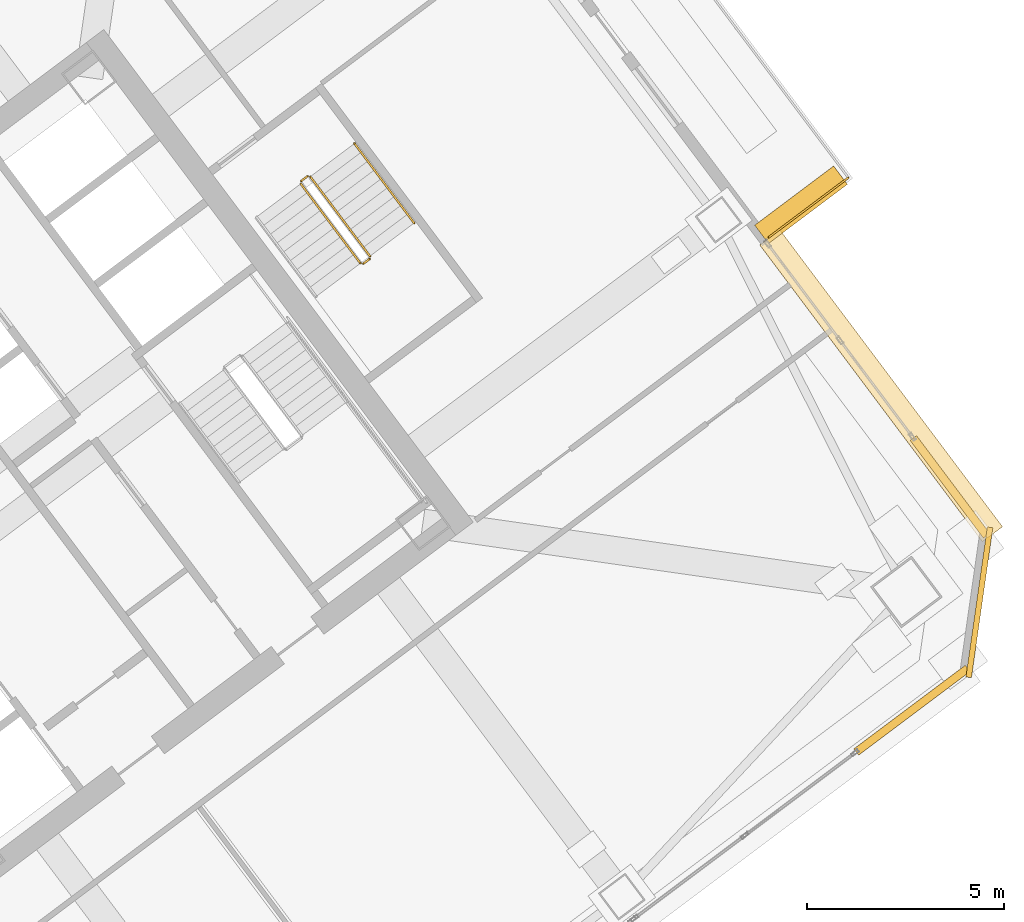
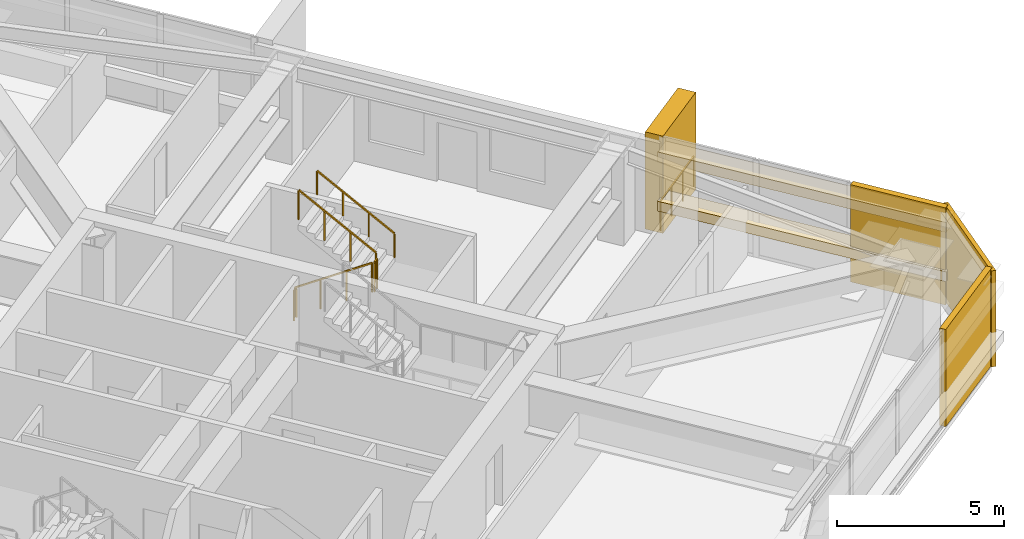
# One storey, part 41 of 42: 6 coverings, 6 railings.
"""IFC4 building model written with IfcOpenShell, lengths in metres."""

from ifc_helpers import new_model, si_unit, direction, frame, origin, origin_2d, place, context, subcontext, project, spatial, rectangle, extrude, material, layer, layer_set, type_object, element, save


model = new_model("IFC4")

# Units and contexts
model_context = context("Model", 3, precision=1e-05, world=origin(), true_north=direction((0.0, 1.0)))
body_context = subcontext(model_context, "Body", "Model", "MODEL_VIEW")
ifc_project = project(units=[si_unit("LENGTHUNIT", "METRE"), si_unit("AREAUNIT", "SQUARE_METRE"), si_unit("VOLUMEUNIT", "CUBIC_METRE"), si_unit("PLANEANGLEUNIT", "RADIAN"), si_unit("MASSUNIT", "GRAM", prefix="KILO")], contexts=[model_context])

# Site, building, storey
site_placement = place(None, origin())
site = spatial("IfcSite", under=ifc_project, at=site_placement, CompositionType="ELEMENT")
building_placement = place(site_placement, origin())
building = spatial("IfcBuilding", under=site, at=building_placement, Name="Tashvorn Skyway Center", CompositionType="ELEMENT")
storey_placement = place(building_placement, frame((0.0, 0.0, 153.449951171875)))
storey = spatial("IfcBuildingStorey", under=building, at=storey_placement, Name="L41", CompositionType="ELEMENT", Elevation=153.449951171875)

# Coverings
ifc_material_1 = material(Name="Precast concrete C40/50", Category="concrete")
ifc_layer_1 = layer(ifc_material_1, 0.199951171875)
ifc_layer_set_1 = layer_set([ifc_layer_1], Name="Precast concrete C40/50")
covering_type_1 = type_object("IfcCoveringType", Name="COV-BRACE-CLAD", PredefinedType="CLADDING", material=ifc_layer_set_1)
covering_1_placement = place(storey_placement, frame((136.260498046875, 25.845458984375, 0.0), z_axis=(0.0, 0.0, 1.0), x_axis=(-0.799999996291, -0.600000004945, 0.0)))
element("IfcCovering", 1, at=covering_1_placement, inside=storey, type_object=covering_type_1, Name="Tower 2 L41 South Unitised Curtain Wall Mega-Brace Cladding Band 1", PredefinedType="CLADDING", context=body_context, shape_type="SweptSolid", body=[
    extrude(rectangle(XDim=3.52880859375, YDim=0.199951171875, at=origin_2d()), origin(), (0.0, 0.0, 1.0), 3.550048828125),
])
covering_2_placement = place(storey_placement, frame((137.22412109375, 31.50146484375, 0.0), z_axis=(0.0, 0.0, 1.0), x_axis=(0.600000004945, -0.799999996291, 0.0)))
element("IfcCovering", 2, at=covering_2_placement, inside=storey, type_object=covering_type_1, Name="Tower 2 L41 East Curtain Wall R Mega-Brace Cladding Band 1", PredefinedType="CLADDING", context=body_context, shape_type="SweptSolid", body=[
    extrude(rectangle(XDim=3.09326171875, YDim=0.199951171875, at=origin_2d()), origin(), (0.0, 0.0, 1.0), 3.550048828125),
])
ifc_material_2 = material(Name="Perforated ceramic-coated bronze aluminium solar screen", Category="aluminium")
ifc_layer_2 = layer(ifc_material_2, 0.85009765625)
ifc_layer_set_2 = layer_set([ifc_layer_2], Name="Perforated ceramic-coated bronze aluminium solar screen")
covering_type_2 = type_object("IfcCoveringType", Name="COV-SOLAR-BAND", PredefinedType="CLADDING", material=ifc_layer_set_2)
for number, where, z_axis, x_axis, name in (
    (3, (135.47998046875, 34.06005859375, 0.919921875), (0.0, 0.0, 1.0), (0.600000004945, -0.799999996291, 0.0), "L41 Perforated Ceramic-Metal Solar Screen Louvre Band East 1"),
    (4, (135.47998046875, 34.06005859375, 2.72021484375), (0.0, 0.0, 1.0), (0.600000004945, -0.799999996291, 0.0), "L41 Perforated Ceramic-Metal Solar Screen Louvre Band East 2"),
):
    element("IfcCovering", number, at=place(storey_placement, frame(where, z_axis=z_axis, x_axis=x_axis)), inside=storey, type_object=covering_type_2, Name=name, PredefinedType="CLADDING", context=body_context, shape_type="SweptSolid", body=[
        extrude(rectangle(XDim=9.39990234375, YDim=0.639892578125, at=origin_2d()), origin(), (0.0, 0.0, 1.0), 0.360107421875),
    ])
ifc_layer_3 = layer(ifc_material_1, 0.35009765625)
ifc_layer_set_3 = layer_set([ifc_layer_3], Name="Precast concrete C40/50")
covering_type_3 = type_object("IfcCoveringType", Name="COV-STONE-TRIM", PredefinedType="CLADDING", material=ifc_layer_set_3)
covering_3_placement = place(storey_placement, frame((133.449951171875, 38.64990234375, 0.0), z_axis=(0.0, 0.0, 1.0), x_axis=(0.600000004945, -0.799999996291, 0.0)))
element("IfcCovering", 5, at=covering_3_placement, inside=storey, type_object=covering_type_3, Name="Tower 2 L41 Sky Garden Loggia Pier R", PredefinedType="CLADDING", context=body_context, shape_type="SweptSolid", body=[
    extrude(rectangle(XDim=0.580078125, YDim=2.5, at=origin_2d()), origin(), (0.0, 0.0, 1.0), 3.550048828125),
])
covering_4_placement = place(storey_placement, frame((137.968017578125, 28.575927734375, 0.02001953125), z_axis=(0.0, 0.0, 1.0), x_axis=(0.141421350118, 0.989949494535, 0.0)))
element("IfcCovering", 6, at=covering_4_placement, inside=storey, type_object=covering_type_3, Name="Tower 2 L41 SE Mojave Limestone Corner Quoin", PredefinedType="CLADDING", context=body_context, shape_type="SweptSolid", body=[
    extrude(rectangle(XDim=3.8369140625, YDim=0.139892578125, at=origin_2d()), origin(), (0.0, 0.0, 1.0), 3.510009765625),
])

# Railings
ifc_material_3 = material(Name="Galvanized steel S355", Category="steel")
railing_type_1 = type_object("IfcRailingType", Name="RAIL-GUARD-1120", PredefinedType="GUARDRAIL", material=ifc_material_3)
railing_1_placement = place(storey_placement, frame((132.632080078125, 37.823974609375, 0.0)))
element("IfcRailing", 7, at=railing_1_placement, inside=storey, type_object=railing_type_1, Name="L41 Tower 2 Terrace Guardrail 01", PredefinedType="GUARDRAIL", context=body_context, shape_type="SweptSolid", body=[
    extrude(rectangle(XDim=0.048095703125, YDim=0.048095703125, at=origin_2d()), frame((0.0, 0.0, 1.09619140625), z_axis=(0.79998837352, 0.60001550166, 0.0), x_axis=(-0.60001550166, 0.79998837352, 0.0)), (0.0, 0.0, 1.0), 2.519775390625),
    extrude(rectangle(XDim=0.0419921875, YDim=0.0419921875, at=origin_2d()), origin(), (0.0, 0.0, 1.0), 1.072021484375),
    extrude(rectangle(XDim=0.0419921875, YDim=0.0419921875, at=origin_2d()), frame((0.671875, 0.50390625, 0.0)), (0.0, 0.0, 1.0), 1.072021484375),
    extrude(rectangle(XDim=0.0419921875, YDim=0.0419921875, at=origin_2d()), frame((1.343994140625, 1.008056640625, 0.0)), (0.0, 0.0, 1.0), 1.072021484375),
    extrude(rectangle(XDim=0.0419921875, YDim=0.0419921875, at=origin_2d()), frame((2.015869140625, 1.511962890625, 0.0)), (0.0, 0.0, 1.0), 1.072021484375),
])
ifc_material_4 = material(Name="Brushed stainless steel 316", Category="steel")
railing_type_2 = type_object("IfcRailingType", Name="RAIL-HAND-920", PredefinedType="HANDRAIL", material=ifc_material_4)
railing_2_placement = place(storey_placement, frame((123.64794921875, 38.18603515625, 1.95263671875)))
element("IfcRailing", 8, at=railing_2_placement, inside=storey, type_object=railing_type_2, Name="L41 ST-T2-3 stair handrail 2", PredefinedType="HANDRAIL", context=body_context, shape_type="SweptSolid", body=[
    extrude(rectangle(XDim=0.048095703125, YDim=0.048095703125, at=origin_2d()), frame((0.0, 0.0, 0.8759765625), z_axis=(-0.506768818287, 0.675664481285, 0.535409071218), x_axis=(-0.79998837352, -0.60001550166, 0.0)), (0.0, 0.0, 1.0), 2.983642578125),
    extrude(rectangle(XDim=0.0419921875, YDim=0.0419921875, at=origin_2d()), origin(), (0.0, 0.0, 1.0), 0.851806640625),
    extrude(rectangle(XDim=0.0419921875, YDim=0.0419921875, at=origin_2d()), frame((-0.50390625, 0.671875, 0.532470703125)), (0.0, 0.0, 1.0), 0.851806640625),
    extrude(rectangle(XDim=0.0419921875, YDim=0.0419921875, at=origin_2d()), frame((-1.008056640625, 1.343994140625, 1.06494140625)), (0.0, 0.0, 1.0), 0.851806640625),
    extrude(rectangle(XDim=0.0419921875, YDim=0.0419921875, at=origin_2d()), frame((-1.511962890625, 2.015869140625, 1.597412109375)), (0.0, 0.0, 1.0), 0.851806640625),
])
ifc_material_5 = material(Name="Painted galvanized steel S355", Category="steel")
railing_type_3 = type_object("IfcRailingType", Name="RAIL-STGUARD-1100", PredefinedType="GUARDRAIL", material=ifc_material_5)
railing_3_placement = place(storey_placement, frame((120.77587890625, 39.181884765625, 0.177490234375)))
element("IfcRailing", 9, at=railing_3_placement, inside=storey, type_object=railing_type_3, Name="L41 ST-T2-3 stair guard 1", PredefinedType="GUARDRAIL", context=body_context, shape_type="SweptSolid", body=[
    extrude(rectangle(XDim=0.048095703125, YDim=0.048095703125, at=origin_2d()), frame((0.0, 0.0, 1.076171875), z_axis=(0.506807425148, -0.675606863004, 0.535445235739), x_axis=(0.799941867976, 0.600077501544, 0.0)), (0.0, 0.0, 1.0), 2.98388671875),
    extrude(rectangle(XDim=0.0419921875, YDim=0.0419921875, at=origin_2d()), origin(), (0.0, 0.0, 1.0), 1.052001953125),
    extrude(rectangle(XDim=0.0419921875, YDim=0.0419921875, at=origin_2d()), frame((0.504150390625, -0.671875, 0.532470703125)), (0.0, 0.0, 1.0), 1.052001953125),
    extrude(rectangle(XDim=0.0419921875, YDim=0.0419921875, at=origin_2d()), frame((1.008056640625, -1.343994140625, 1.065185546875)), (0.0, 0.0, 1.0), 1.052001953125),
    extrude(rectangle(XDim=0.0419921875, YDim=0.0419921875, at=origin_2d()), frame((1.51220703125, -2.015869140625, 1.59765625)), (0.0, 0.0, 1.0), 1.052001953125),
])
railing_4_placement = place(storey_placement, frame((122.35791015625, 37.156005859375, 1.775146484375)))
element("IfcRailing", 10, at=railing_4_placement, inside=storey, type_object=railing_type_3, Name="L41 ST-T2-3 stair guard 2", PredefinedType="GUARDRAIL", context=body_context, shape_type="SweptSolid", body=[
    extrude(rectangle(XDim=0.048095703125, YDim=0.048095703125, at=origin_2d()), frame((0.0, 0.0, 1.076171875), z_axis=(0.800585412921, 0.599218655098, 0.0), x_axis=(-0.599218655098, 0.800585412921, 0.0)), (0.0, 0.0, 1.0), 0.199951171875),
    extrude(rectangle(XDim=0.0419921875, YDim=0.0419921875, at=origin_2d()), origin(), (0.0, 0.0, 1.0), 1.052001953125),
    extrude(rectangle(XDim=0.0419921875, YDim=0.0419921875, at=origin_2d()), frame((0.16015625, 0.119873046875, 0.0)), (0.0, 0.0, 1.0), 1.052001953125),
])
railing_5_placement = place(storey_placement, frame((122.528076171875, 37.345947265625, 1.95263671875)))
element("IfcRailing", 11, at=railing_5_placement, inside=storey, type_object=railing_type_3, Name="L41 ST-T2-3 stair guard 3", PredefinedType="GUARDRAIL", context=body_context, shape_type="SweptSolid", body=[
    extrude(rectangle(XDim=0.048095703125, YDim=0.048095703125, at=origin_2d()), frame((0.0, 0.0, 1.076171875), z_axis=(-0.506740800098, 0.675708949977, 0.535379469569), x_axis=(-0.800023250257, -0.599968998406, 0.0)), (0.0, 0.0, 1.0), 2.983642578125),
    extrude(rectangle(XDim=0.0419921875, YDim=0.0419921875, at=origin_2d()), origin(), (0.0, 0.0, 1.0), 1.052001953125),
    extrude(rectangle(XDim=0.0419921875, YDim=0.0419921875, at=origin_2d()), frame((-0.50390625, 0.672119140625, 0.532470703125)), (0.0, 0.0, 1.0), 1.052001953125),
    extrude(rectangle(XDim=0.0419921875, YDim=0.0419921875, at=origin_2d()), frame((-1.008056640625, 1.343994140625, 1.06494140625)), (0.0, 0.0, 1.0), 1.052001953125),
    extrude(rectangle(XDim=0.0419921875, YDim=0.0419921875, at=origin_2d()), frame((-1.511962890625, 2.01611328125, 1.597412109375)), (0.0, 0.0, 1.0), 1.052001953125),
])
railing_6_placement = place(storey_placement, frame((120.785888671875, 39.251953125, 0.0)))
element("IfcRailing", 12, at=railing_6_placement, inside=storey, type_object=railing_type_3, Name="L41 ST-T2-3 stair guard 4", PredefinedType="GUARDRAIL", context=body_context, shape_type="SweptSolid", body=[
    extrude(rectangle(XDim=0.048095703125, YDim=0.048095703125, at=origin_2d()), frame((0.0, 0.0, 1.076171875), z_axis=(0.8, 0.6, 0.0), x_axis=(-0.6, 0.8, 0.0)), (0.0, 0.0, 1.0), 0.2001953125),
    extrude(rectangle(XDim=0.0419921875, YDim=0.0419921875, at=origin_2d()), origin(), (0.0, 0.0, 1.0), 1.052001953125),
    extrude(rectangle(XDim=0.0419921875, YDim=0.0419921875, at=origin_2d()), frame((0.16015625, 0.1201171875, 0.0)), (0.0, 0.0, 1.0), 1.052001953125),
])

save(model, "model.ifc")
